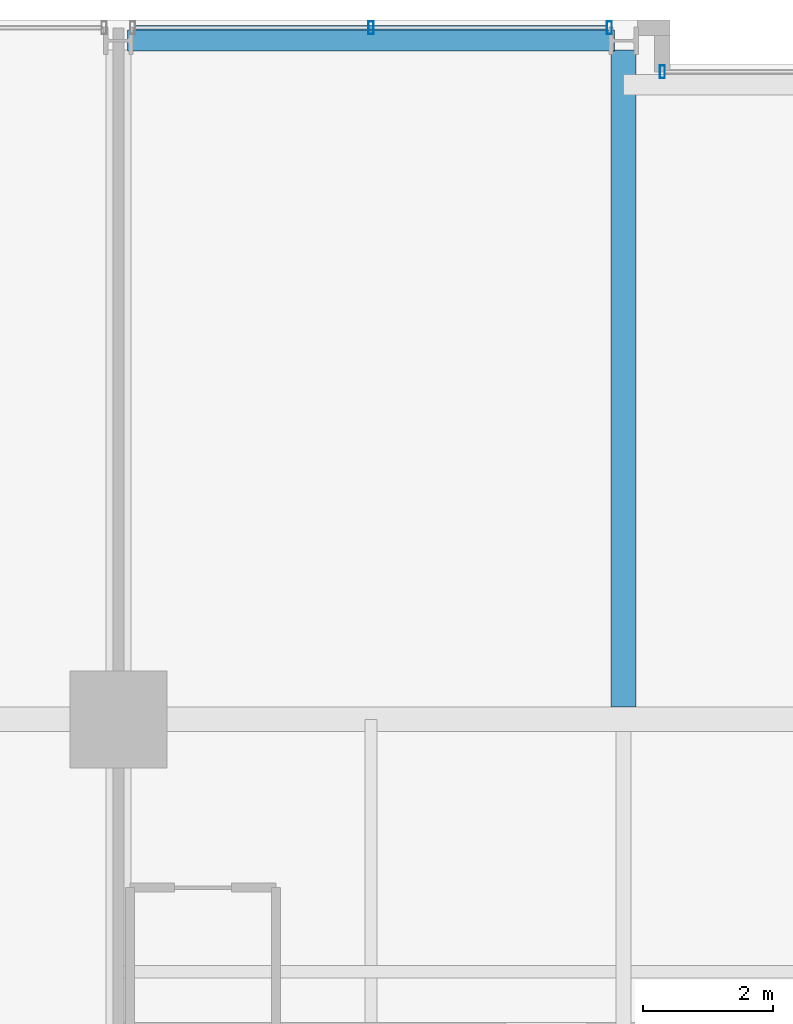
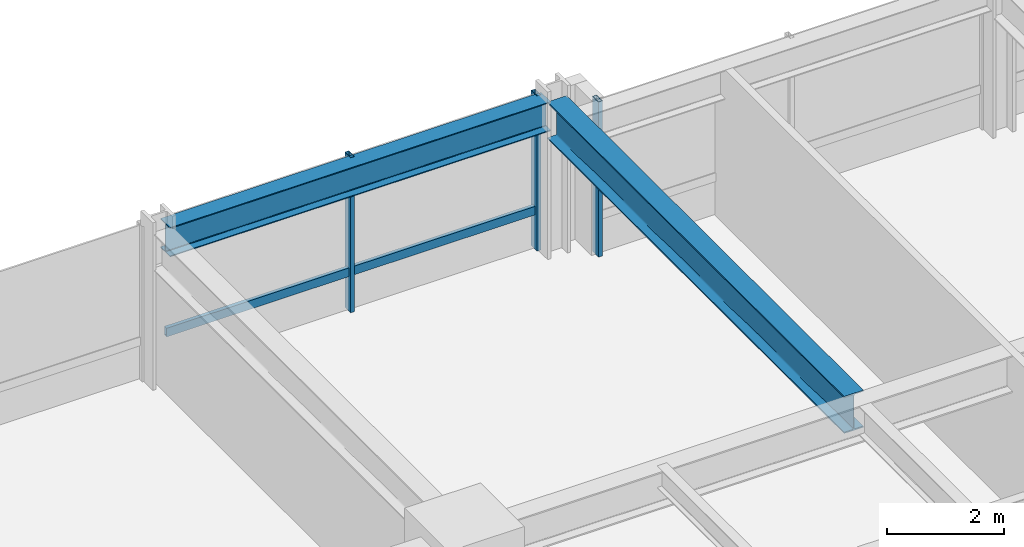
# One storey, part 21 of 34: 4 members, 2 beams, 2 elements without a shape of their own.
"""IFC4 building model written with IfcOpenShell, lengths in metres."""

import ifcopenshell
import ifcopenshell.guid

model = None  # the IFC model being written
_history = None  # IfcOwnerHistory: only IFC2X3 demands one
_inside = {}  # id of a spatial element -> (the spatial element, [elements in it])
_under = {}  # id of a project, library or spatial element -> (it, [spatial elements below it])
_declared = {}  # id of a project -> (the project, [libraries it declares])
_typed = {}  # id of a type object -> (the type object, [elements of that type])
_made_of = {}  # id of a material, layer set ... -> (it, [elements and type objects made of it])


def new_model(schema):
    """Start an empty IFC model of exactly this schema.

    Asked for "IFC4X3", IfcOpenShell would pick the latest addendum, in which some entities
    have other attributes; the version numbers below select the first issue.
    IFC2X3 requires an IfcOwnerHistory on every rooted entity: one is made here for all.
    """
    global model, _history
    if schema == "IFC4X3":
        model = ifcopenshell.file(schema_version=(4, 3, 0, 0))
    else:
        model = ifcopenshell.file(schema=schema)
    _inside.clear()
    _under.clear()
    _declared.clear()
    _typed.clear()
    _made_of.clear()
    _history = None
    if model.schema == "IFC2X3":
        org = make("IfcOrganization", Name="unknown")
        user = make(
            "IfcPersonAndOrganization",
            ThePerson=make("IfcPerson", FamilyName="unknown"),
            TheOrganization=org,
        )
        app = make(
            "IfcApplication",
            ApplicationDeveloper=org,
            Version="unknown",
            ApplicationFullName="unknown",
            ApplicationIdentifier="unknown",
        )
        _history = make(
            "IfcOwnerHistory",
            OwningUser=user,
            OwningApplication=app,
            ChangeAction="ADDED",
            CreationDate=0,
        )
    return model


def make(cls, **values):
    """One entity of the class cls with the attributes given. An attribute that is None is left unset."""
    return model.create_entity(
        cls, **{name: value for name, value in values.items() if value is not None}
    )


def rooted(cls, **values):
    """An entity with a GlobalId (a new one), such as an element, a storey or a relation."""
    return make(cls, GlobalId=ifcopenshell.guid.new(), OwnerHistory=_history, **values)


def si_unit(unit_type, name, prefix=None):
    """IfcSIUnit, for example si_unit("LENGTHUNIT", "METRE", prefix="MILLI")."""
    return make("IfcSIUnit", UnitType=unit_type, Prefix=prefix, Name=name)


def assignment(units):
    """IfcUnitAssignment: the units of a project."""
    return None if units is None else make("IfcUnitAssignment", Units=units)


def point(xyz):
    """IfcCartesianPoint."""
    return None if xyz is None else make("IfcCartesianPoint", Coordinates=xyz)


def direction(xyz):
    """IfcDirection."""
    return None if xyz is None else make("IfcDirection", DirectionRatios=xyz)


def frame(location, z_axis=None, x_axis=None):
    """IfcAxis2Placement3D, a coordinate frame: its origin and axes. An axis left out is left unset."""
    return make(
        "IfcAxis2Placement3D",
        Location=point(location),
        Axis=direction(z_axis),
        RefDirection=direction(x_axis),
    )


def frame_2d(location, x_axis=None):
    """IfcAxis2Placement2D, a coordinate frame in the plane: its origin and x axis."""
    return make(
        "IfcAxis2Placement2D", Location=point(location), RefDirection=direction(x_axis)
    )


def origin():
    """The frame at (0, 0, 0) with its axes left unset."""
    return frame((0.0, 0.0, 0.0))


def origin_2d():
    """The frame at (0, 0) in the plane with its x axis left unset."""
    return frame_2d((0.0, 0.0))


def place(relative_to, where):
    """IfcLocalPlacement: puts the frame where relative to a parent placement (None: the world)."""
    return make(
        "IfcLocalPlacement", PlacementRelTo=relative_to, RelativePlacement=where
    )


def context(
    kind, dimensions, precision=None, world=None, true_north=None, identifier=None
):
    """IfcGeometricRepresentationContext, for example the 3D "Model" context."""
    return make(
        "IfcGeometricRepresentationContext",
        ContextIdentifier=identifier,
        ContextType=kind,
        CoordinateSpaceDimension=dimensions,
        Precision=precision,
        WorldCoordinateSystem=world,
        TrueNorth=true_north,
    )


def subcontext(parent, identifier, kind, view, scale=None):
    """IfcGeometricRepresentationSubContext, for example "Body" below "Model"."""
    return make(
        "IfcGeometricRepresentationSubContext",
        ContextIdentifier=identifier,
        ContextType=kind,
        ParentContext=parent,
        TargetScale=scale,
        TargetView=view,
    )


def project(units=None, contexts=None):
    """IfcProject with its units and contexts."""
    return rooted(
        "IfcProject",
        Name="project",
        RepresentationContexts=contexts,
        UnitsInContext=assignment(units),
    )


def spatial(cls, under=None, at=None, **own):
    """A site, building, storey or space (cls), placed at a placement, below another one or the project."""
    s = rooted(cls, ObjectPlacement=at, **own)
    if under is not None:
        _under.setdefault(under.id(), (under, []))[1].append(s)
    return s


def profile(cls, at=None, kind="AREA", **sizes):
    """A parametric profile (cls). Its sizes go by their IFC names, for example OverallWidth=200.0."""
    return make(cls, ProfileType=kind, Position=at, **sizes)


def hollow_rectangle(**sizes):
    """IfcRectangleHollowProfileDef."""
    return profile("IfcRectangleHollowProfileDef", **sizes)


def i_section(**sizes):
    """IfcIShapeProfileDef."""
    return profile("IfcIShapeProfileDef", **sizes)


def extrude(swept, where, along, depth):
    """IfcExtrudedAreaSolid: the profile swept, set in the frame where, extruded along a direction by depth."""
    return make(
        "IfcExtrudedAreaSolid",
        SweptArea=swept,
        Position=where,
        ExtrudedDirection=direction(along),
        Depth=depth,
    )


def shape(context_of_items, identifier, shape_type, items):
    """IfcShapeRepresentation: the items that make up one representation, for example the "Body"."""
    return make(
        "IfcShapeRepresentation",
        ContextOfItems=context_of_items,
        RepresentationIdentifier=identifier,
        RepresentationType=shape_type,
        Items=items,
    )


def material(Name=None, Category=None):
    """IfcMaterial."""
    return make("IfcMaterial", Name=Name, Category=Category)


def layer(
    of_material, thickness, ventilated=None, Name=None, Category=None, Priority=None
):
    """IfcMaterialLayer: one layer of a wall or slab, of a material (None: an air gap)."""
    return make(
        "IfcMaterialLayer",
        Material=of_material,
        LayerThickness=thickness,
        IsVentilated=ventilated,
        Name=Name,
        Category=Category,
        Priority=Priority,
    )


def layer_set(layers, Name=None):
    """IfcMaterialLayerSet."""
    return make("IfcMaterialLayerSet", MaterialLayers=layers, LayerSetName=Name)


def material_profile(
    of_material, cross_section, Name=None, Category=None, Priority=None
):
    """IfcMaterialProfile: a cross section and its material."""
    return make(
        "IfcMaterialProfile",
        Name=Name,
        Material=of_material,
        Profile=cross_section,
        Priority=Priority,
        Category=Category,
    )


def profile_set(profiles, Name=None, composite=None):
    """IfcMaterialProfileSet."""
    return make(
        "IfcMaterialProfileSet",
        Name=Name,
        MaterialProfiles=profiles,
        CompositeProfile=composite,
    )


def made_of(thing, what):
    """Note that an element or type object is made of a material, layer set ...; save() writes the relation."""
    if what is not None:
        _made_of.setdefault(what.id(), (what, []))[1].append(thing)
    return thing


def type_object(cls, material=None, **own):
    """A type object (cls), such as IfcWallType, which elements share."""
    return made_of(rooted(cls, **own), material)


def element(
    cls,
    number,
    at=None,
    inside=None,
    cuts=None,
    type_object=None,
    material=None,
    context=None,
    identifier="Body",
    shape_type=None,
    held_by="IfcProductDefinitionShape",
    body=None,
    shapes=None,
    **own,
):
    """One element of the class cls, such as IfcWall. Its Tag is "e" and its number.

    at: its placement. inside: the storey or other place that contains it. cuts: it is an
    opening in that element (IfcRelVoidsElement). A single representation is given by context,
    identifier, shape_type and body (its items); several are given by shapes. held_by: the class
    of the entity that holds the representations. save() writes the other relations.
    """
    e = rooted(cls, Tag="e%d" % number, ObjectPlacement=at, **own)
    if body is not None:
        shapes = [shape(context, identifier, shape_type, body)]
    if shapes is not None:
        e.Representation = make(held_by, Representations=shapes)
    if inside is not None:
        _inside.setdefault(inside.id(), (inside, []))[1].append(e)
    if cuts is not None:
        rooted(
            "IfcRelVoidsElement", RelatingBuildingElement=cuts, RelatedOpeningElement=e
        )
    if type_object is not None:
        _typed.setdefault(type_object.id(), (type_object, []))[1].append(e)
    return made_of(e, material)


def aggregate(whole, parts):
    """IfcRelAggregates: a whole, such as a stair, and the parts it consists of."""
    return rooted("IfcRelAggregates", RelatingObject=whole, RelatedObjects=parts)


def save(model, path):
    """Write the relations noted so far, then the file.

    IfcRelAggregates (storeys below a building ...), IfcRelContainedInSpatialStructure (elements
    in a storey), IfcRelDefinesByType, IfcRelAssociatesMaterial and IfcRelDeclares: one each for
    every whole, place, type object, material and project.
    """
    for whole, parts in _under.values():
        aggregate(whole, parts)
    for where, things in _inside.values():
        rooted(
            "IfcRelContainedInSpatialStructure",
            RelatedElements=things,
            RelatingStructure=where,
        )
    for kind, things in _typed.values():
        rooted("IfcRelDefinesByType", RelatedObjects=things, RelatingType=kind)
    for what, things in _made_of.values():
        rooted("IfcRelAssociatesMaterial", RelatedObjects=things, RelatingMaterial=what)
    for by, libraries in _declared.values():
        rooted("IfcRelDeclares", RelatingContext=by, RelatedDefinitions=libraries)
    model.write(path)


model = new_model("IFC4")

# Units and contexts
model_context = context("Model", 3, precision=1e-05, world=origin(), true_north=direction((0.0, 1.0)))
body_context = subcontext(model_context, "Body", "Model", "MODEL_VIEW")
ifc_project = project(units=[si_unit("LENGTHUNIT", "METRE"), si_unit("AREAUNIT", "SQUARE_METRE"), si_unit("VOLUMEUNIT", "CUBIC_METRE"), si_unit("PLANEANGLEUNIT", "RADIAN"), si_unit("MASSUNIT", "GRAM", prefix="KILO")], contexts=[model_context])

# Site, building, storey
site_placement = place(None, origin())
site = spatial("IfcSite", under=ifc_project, at=site_placement, CompositionType="ELEMENT")
building_placement = place(site_placement, origin())
building = spatial("IfcBuilding", under=site, at=building_placement, Name="Drelvath Grand Hotel", CompositionType="ELEMENT")
storey_placement = place(building_placement, frame((0.0, 0.0, 116.300048828125)))
storey = spatial("IfcBuildingStorey", under=building, at=storey_placement, Name="L29", CompositionType="ELEMENT", Elevation=116.300048828125)

# Curtain wall, members
ifc_material_1 = material(Name="Champagne Bronze Anodised Aluminium Frame", Category="aluminium")
ifc_layer = layer(ifc_material_1, 0.199951171875)
ifc_layer_set = layer_set([ifc_layer], Name="Champagne Bronze Anodised Aluminium Frame")
curtain_wall_type = type_object("IfcCurtainWallType", Name="Stick Curtain Wall CW-03 Champagne Bronze Mid-Rise", PredefinedType="NOTDEFINED", material=ifc_layer_set)
curtain_wall_1_placement = place(storey_placement, origin())
curtain_wall_1 = element("IfcCurtainWall", 1, at=curtain_wall_1_placement, inside=storey, type_object=curtain_wall_type, Name="L29 CW-03 Curtain Wall CW03-L29-NW2", PredefinedType="NOTDEFINED")
ifc_material_profile_1 = material_profile(ifc_material_1, hollow_rectangle(XDim=0.074951171875, YDim=0.179931640625, WallThickness=0.0048828125, at=origin_2d()), Name="HSS180X75X5")
ifc_profile_set_1 = profile_set([ifc_material_profile_1], Name="Champagne Bronze Anodised Aluminium Frame")
member_type_1 = type_object("IfcMemberType", Name="Curtain Wall Horizontal Transom CW-03 HSS180X75X5", PredefinedType="USERDEFINED", material=ifc_profile_set_1)
member_1_placement = place(storey_placement, frame((-15.9404296875, 53.8798828125, 0.81005859375), z_axis=(1.0, 0.0, 0.0), x_axis=(0.0, 1.0, 0.0)))
member_1 = element("IfcMember", 2, at=member_1_placement, type_object=member_type_1, Name="CW03-L29-NW2 Sill Transom", ObjectType="TRANSOM", PredefinedType="USERDEFINED", context=body_context, shape_type="SweptSolid", body=[
    extrude(hollow_rectangle(XDim=0.074951171875, YDim=0.179931640625, WallThickness=0.0048828125, at=origin_2d()), origin(), (0.0, 0.0, 1.0), 7.28076171875),
])
ifc_material_profile_2 = material_profile(ifc_material_1, hollow_rectangle(XDim=0.080078125, YDim=0.199951171875, WallThickness=0.0048828125, at=origin_2d()), Name="HSS200X80X5")
ifc_profile_set_2 = profile_set([ifc_material_profile_2], Name="Champagne Bronze Anodised Aluminium Frame")
member_type_2 = type_object("IfcMemberType", Name="Curtain Wall Vertical Mullion CW-03 HSS200X80X5", PredefinedType="MULLION", material=ifc_profile_set_2)
member_2_placement = place(storey_placement, frame((-12.300048828125, 53.8798828125, 0.0), z_axis=(0.0, 0.0, 1.0), x_axis=(1.0, 0.0, 0.0)))
member_2 = element("IfcMember", 3, at=member_2_placement, type_object=member_type_2, Name="CW03-L29-NW2 Mullion 2", PredefinedType="MULLION", context=body_context, shape_type="SweptSolid", body=[
    extrude(hollow_rectangle(XDim=0.080078125, YDim=0.199951171875, WallThickness=0.0048828125, at=origin_2d()), origin(), (0.0, 0.0, 1.0), 3.239990234375),
])
member_3_placement = place(storey_placement, frame((-8.61962890625, 53.8798828125, 0.0), z_axis=(0.0, 0.0, 1.0), x_axis=(1.0, 0.0, 0.0)))
member_3 = element("IfcMember", 4, at=member_3_placement, type_object=member_type_2, Name="CW03-L29-NW2 Mullion 3", PredefinedType="MULLION", context=body_context, shape_type="SweptSolid", body=[
    extrude(hollow_rectangle(XDim=0.080078125, YDim=0.199951171875, WallThickness=0.0048828125, at=origin_2d()), origin(), (0.0, 0.0, 1.0), 3.239990234375),
])
aggregate(curtain_wall_1, [member_2, member_3, member_1])

# Curtain wall, member
curtain_wall_2_placement = place(storey_placement, origin())
curtain_wall_2 = element("IfcCurtainWall", 5, at=curtain_wall_2_placement, inside=storey, type_object=curtain_wall_type, Name="L29 CW-03 Curtain Wall CW03-L29-NM1", PredefinedType="NOTDEFINED")
member_4_placement = place(storey_placement, frame((-7.800048828125, 53.199951171875, 0.0), z_axis=(0.0, 0.0, 1.0), x_axis=(1.0, 0.0, 0.0)))
member_4 = element("IfcMember", 6, at=member_4_placement, type_object=member_type_2, Name="CW03-L29-NM1 Mullion 1", PredefinedType="MULLION", context=body_context, shape_type="SweptSolid", body=[
    extrude(hollow_rectangle(XDim=0.080078125, YDim=0.199951171875, WallThickness=0.0048828125, at=origin_2d()), origin(), (0.0, 0.0, 1.0), 3.239990234375),
])
aggregate(curtain_wall_2, [member_4])

# Beams
ifc_material_2 = material(Name="Steel ASTM A992 Gr 50", Category="steel")
ifc_material_profile_3 = material_profile(ifc_material_2, i_section(OverallWidth=0.323974609375, OverallDepth=0.611083984375, WebThickness=0.0126953125, FlangeThickness=0.01904296875, FilletRadius=0.02197265625, at=origin_2d()), Name="W24X104")
ifc_profile_set_3 = profile_set([ifc_material_profile_3], Name="Steel ASTM A992 Gr 50")
beam_type_1 = type_object("IfcBeamType", Name="Perimeter Spandrel Beam W24X104", PredefinedType="SPANDREL", material=ifc_profile_set_3)
beam_1_placement = place(storey_placement, frame((-16.06005859375, 53.679931640625, 2.9345703125), z_axis=(1.0, 0.0, 0.0), x_axis=(0.0, 1.0, 0.0)))
element("IfcBeam", 7, at=beam_1_placement, inside=storey, type_object=beam_type_1, Name="L29 Spandrel North W", PredefinedType="SPANDREL", context=body_context, shape_type="SweptSolid", body=[
    extrude(i_section(OverallWidth=0.323974609375, OverallDepth=0.611083984375, WebThickness=0.0126953125, FlangeThickness=0.01904296875, FilletRadius=0.02197265625, at=origin_2d()), origin(), (0.0, 0.0, 1.0), 7.52001953125),
])
ifc_material_profile_4 = material_profile(ifc_material_2, i_section(OverallWidth=0.380615234375, OverallDepth=0.773193359375, WebThickness=0.0166015625, FlangeThickness=0.027099609375, FilletRadius=0.02490234375, at=origin_2d()), Name="W30X173")
ifc_profile_set_4 = profile_set([ifc_material_profile_4], Name="Steel ASTM A992 Gr 50")
beam_type_2 = type_object("IfcBeamType", Name="Primary Floor Girder W30X173", PredefinedType="BEAM", material=ifc_profile_set_4)
beam_2_placement = place(storey_placement, frame((-8.39990234375, 43.390380859375, 2.853271484375), z_axis=(0.0, 1.0, 0.0), x_axis=(-1.0, 0.0, 0.0)))
element("IfcBeam", 8, at=beam_2_placement, inside=storey, type_object=beam_type_2, Name="L29 North Wing Girder 4", PredefinedType="BEAM", context=body_context, shape_type="SweptSolid", body=[
    extrude(i_section(OverallWidth=0.380615234375, OverallDepth=0.773193359375, WebThickness=0.0166015625, FlangeThickness=0.027099609375, FilletRadius=0.02490234375, at=origin_2d()), origin(), (0.0, 0.0, 1.0), 10.149658203125),
])

save(model, "model.ifc")
